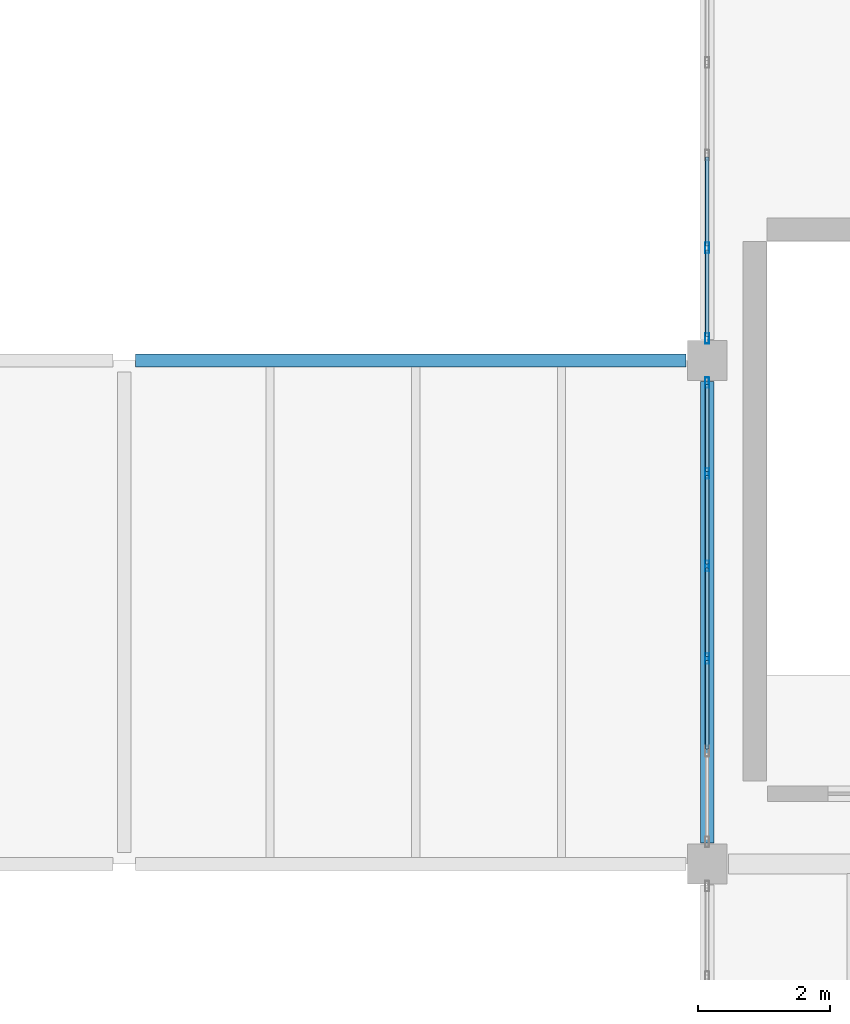
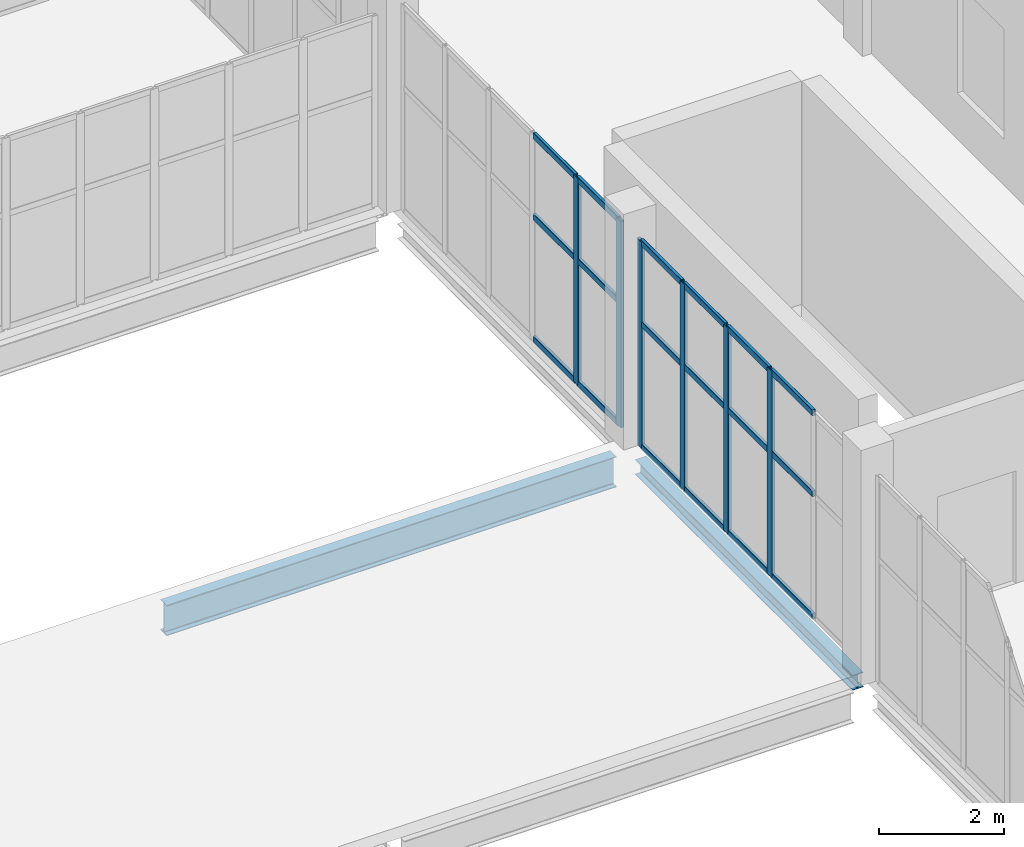
# One storey, part 78 of 136: 24 members, 2 beams, 2 elements without a shape of their own.
"""IFC4 building model written with IfcOpenShell, lengths in metres."""

from ifc_helpers import new_model, si_unit, direction, frame, origin, origin_2d, place, context, subcontext, project, spatial, hollow_rectangle, i_section, extrude, material, material_profile, profile_set, type_object, element, aggregate, save


model = new_model("IFC4")

# Units and contexts
model_context = context("Model", 3, precision=1e-05, world=origin(), true_north=direction((0.0, 1.0)))
body_context = subcontext(model_context, "Body", "Model", "MODEL_VIEW")
ifc_project = project(units=[si_unit("LENGTHUNIT", "METRE"), si_unit("AREAUNIT", "SQUARE_METRE"), si_unit("VOLUMEUNIT", "CUBIC_METRE"), si_unit("PLANEANGLEUNIT", "RADIAN"), si_unit("MASSUNIT", "GRAM", prefix="KILO")], contexts=[model_context])

# Site, building, storey
site_placement = place(None, origin())
site = spatial("IfcSite", under=ifc_project, at=site_placement, CompositionType="ELEMENT")
building_placement = place(site_placement, origin())
building = spatial("IfcBuilding", under=site, at=building_placement, Name="Shengluoqiao Park Theatre", CompositionType="ELEMENT")
storey_placement = place(building_placement, frame((0.0, 0.0, 10.0)))
storey = spatial("IfcBuildingStorey", under=building, at=storey_placement, Name="L02", CompositionType="ELEMENT", Elevation=10.0)

# Curtain wall, members
ifc_material_1 = material(Name="Aluminium 6063-T6", Category="aluminium")
curtain_wall_type = type_object("IfcCurtainWallType", Name="ENV-CW-COURT", PredefinedType="NOTDEFINED", material=ifc_material_1)
curtain_wall_1_placement = place(storey_placement, origin())
curtain_wall_1 = element("IfcCurtainWall", 1, at=curtain_wall_1_placement, inside=storey, type_object=curtain_wall_type, Name="L02 Curtain Wall CWX-L02-0196", PredefinedType="NOTDEFINED")
ifc_material_profile_1 = material_profile(ifc_material_1, hollow_rectangle(XDim=0.06005859375, YDim=0.159912109375, WallThickness=0.00390625, InnerFilletRadius=0.00390625, OuterFilletRadius=0.008056640625, at=origin_2d()), Name="ALU MULLION 160x60x4")
ifc_profile_set_1 = profile_set([ifc_material_profile_1], Name="Aluminium 6063-T6")
member_type_1 = type_object("IfcMemberType", Name="ENV-MUL-160", PredefinedType="MULLION", material=ifc_profile_set_1)
member_1_placement = place(storey_placement, frame((157.199951171875, 56.30078125, 0.0), z_axis=(0.0, 0.0, 1.0), x_axis=(-1.0, 0.0, 0.0)))
member_1 = element("IfcMember", 2, at=member_1_placement, type_object=member_type_1, Name="CW-05 mullion 3", PredefinedType="MULLION", context=body_context, shape_type="SweptSolid", body=[
    extrude(hollow_rectangle(XDim=0.06005859375, YDim=0.159912109375, WallThickness=0.00390625, InnerFilletRadius=0.00390625, OuterFilletRadius=0.008056640625, at=origin_2d()), origin(), (0.0, 0.0, 1.0), 4.033935546875),
])
member_2_placement = place(storey_placement, frame((157.199951171875, 57.69921875, 0.0), z_axis=(0.0, 0.0, 1.0), x_axis=(-1.0, 0.0, 0.0)))
member_2 = element("IfcMember", 3, at=member_2_placement, type_object=member_type_1, Name="CW-05 mullion 4", PredefinedType="MULLION", context=body_context, shape_type="SweptSolid", body=[
    extrude(hollow_rectangle(XDim=0.06005859375, YDim=0.159912109375, WallThickness=0.00390625, InnerFilletRadius=0.00390625, OuterFilletRadius=0.008056640625, at=origin_2d()), origin(), (0.0, 0.0, 1.0), 4.033935546875),
])
member_3_placement = place(storey_placement, frame((157.199951171875, 59.09765625, 0.0), z_axis=(0.0, 0.0, 1.0), x_axis=(-1.0, 0.0, 0.0)))
member_3 = element("IfcMember", 4, at=member_3_placement, type_object=member_type_1, Name="CW-05 mullion 5", PredefinedType="MULLION", context=body_context, shape_type="SweptSolid", body=[
    extrude(hollow_rectangle(XDim=0.06005859375, YDim=0.159912109375, WallThickness=0.00390625, InnerFilletRadius=0.00390625, OuterFilletRadius=0.008056640625, at=origin_2d()), origin(), (0.0, 0.0, 1.0), 4.033935546875),
])
member_4_placement = place(storey_placement, frame((157.199951171875, 60.466064453125, 0.0), z_axis=(0.0, 0.0, 1.0), x_axis=(-1.0, 0.0, 0.0)))
member_4 = element("IfcMember", 5, at=member_4_placement, type_object=member_type_1, Name="CW-05 mullion 6", PredefinedType="MULLION", context=body_context, shape_type="SweptSolid", body=[
    extrude(hollow_rectangle(XDim=0.06005859375, YDim=0.159912109375, WallThickness=0.00390625, InnerFilletRadius=0.00390625, OuterFilletRadius=0.008056640625, at=origin_2d()), origin(), (0.0, 0.0, 1.0), 4.033935546875),
])

curtain_wall_2_placement = place(storey_placement, origin())
curtain_wall_2 = element("IfcCurtainWall", 6, at=curtain_wall_2_placement, inside=storey, type_object=curtain_wall_type, Name="L02 Curtain Wall CWX-L02-0197", PredefinedType="NOTDEFINED")
member_5_placement = place(storey_placement, frame((157.199951171875, 61.134033203125, 0.0), z_axis=(0.0, 0.0, 1.0), x_axis=(-1.0, 0.0, 0.0)))
member_5 = element("IfcMember", 7, at=member_5_placement, type_object=member_type_1, Name="CW-05 mullion 1", PredefinedType="MULLION", context=body_context, shape_type="SweptSolid", body=[
    extrude(hollow_rectangle(XDim=0.06005859375, YDim=0.159912109375, WallThickness=0.00390625, InnerFilletRadius=0.00390625, OuterFilletRadius=0.008056640625, at=origin_2d()), origin(), (0.0, 0.0, 1.0), 4.033935546875),
])
member_6_placement = place(storey_placement, frame((157.199951171875, 62.50244140625, 0.0), z_axis=(0.0, 0.0, 1.0), x_axis=(-1.0, 0.0, 0.0)))
member_6 = element("IfcMember", 8, at=member_6_placement, type_object=member_type_1, Name="CW-05 mullion 2", PredefinedType="MULLION", context=body_context, shape_type="SweptSolid", body=[
    extrude(hollow_rectangle(XDim=0.06005859375, YDim=0.159912109375, WallThickness=0.00390625, InnerFilletRadius=0.00390625, OuterFilletRadius=0.008056640625, at=origin_2d()), origin(), (0.0, 0.0, 1.0), 4.033935546875),
])

# Member
ifc_material_profile_2 = material_profile(ifc_material_1, hollow_rectangle(XDim=0.06005859375, YDim=0.1201171875, WallThickness=0.00390625, InnerFilletRadius=0.00390625, OuterFilletRadius=0.008056640625, at=origin_2d()), Name="ALU TRANSOM 120x60x4")
ifc_profile_set_2 = profile_set([ifc_material_profile_2], Name="Aluminium 6063-T6")
member_type_2 = type_object("IfcMemberType", Name="ENV-TRN-120", PredefinedType="USERDEFINED", material=ifc_profile_set_2)
member_7_placement = place(storey_placement, frame((157.199951171875, 54.932373046875, 0.030029296875), z_axis=(0.0, 1.0, 0.0), x_axis=(-1.0, 0.0, 0.0)))
member_7 = element("IfcMember", 9, at=member_7_placement, type_object=member_type_2, Name="CW-05 transom 2.1", ObjectType="TRANSOM", PredefinedType="USERDEFINED", context=body_context, shape_type="SweptSolid", body=[
    extrude(hollow_rectangle(XDim=0.06005859375, YDim=0.1201171875, WallThickness=0.00390625, InnerFilletRadius=0.00390625, OuterFilletRadius=0.008056640625, at=origin_2d()), origin(), (0.0, 0.0, 1.0), 1.33837890625),
])

member_8_placement = place(storey_placement, frame((157.199951171875, 54.932373046875, 2.419921875), z_axis=(0.0, 1.0, 0.0), x_axis=(-1.0, 0.0, 0.0)))
member_8 = element("IfcMember", 10, at=member_8_placement, type_object=member_type_2, Name="CW-05 transom 2.2", ObjectType="TRANSOM", PredefinedType="USERDEFINED", context=body_context, shape_type="SweptSolid", body=[
    extrude(hollow_rectangle(XDim=0.06005859375, YDim=0.1201171875, WallThickness=0.00390625, InnerFilletRadius=0.00390625, OuterFilletRadius=0.008056640625, at=origin_2d()), origin(), (0.0, 0.0, 1.0), 1.33837890625),
])

member_9_placement = place(storey_placement, frame((157.199951171875, 54.932373046875, 4.00390625), z_axis=(0.0, 1.0, 0.0), x_axis=(-1.0, 0.0, 0.0)))
member_9 = element("IfcMember", 11, at=member_9_placement, type_object=member_type_2, Name="CW-05 transom 2.3", ObjectType="TRANSOM", PredefinedType="USERDEFINED", context=body_context, shape_type="SweptSolid", body=[
    extrude(hollow_rectangle(XDim=0.06005859375, YDim=0.1201171875, WallThickness=0.00390625, InnerFilletRadius=0.00390625, OuterFilletRadius=0.008056640625, at=origin_2d()), origin(), (0.0, 0.0, 1.0), 1.33837890625),
])

member_10_placement = place(storey_placement, frame((157.199951171875, 56.330810546875, 0.030029296875), z_axis=(0.0, 1.0, 0.0), x_axis=(-1.0, 0.0, 0.0)))
member_10 = element("IfcMember", 12, at=member_10_placement, type_object=member_type_2, Name="CW-05 transom 3.1", ObjectType="TRANSOM", PredefinedType="USERDEFINED", context=body_context, shape_type="SweptSolid", body=[
    extrude(hollow_rectangle(XDim=0.06005859375, YDim=0.1201171875, WallThickness=0.00390625, InnerFilletRadius=0.00390625, OuterFilletRadius=0.008056640625, at=origin_2d()), origin(), (0.0, 0.0, 1.0), 1.33837890625),
])

member_11_placement = place(storey_placement, frame((157.199951171875, 56.330810546875, 2.419921875), z_axis=(0.0, 1.0, 0.0), x_axis=(-1.0, 0.0, 0.0)))
member_11 = element("IfcMember", 13, at=member_11_placement, type_object=member_type_2, Name="CW-05 transom 3.2", ObjectType="TRANSOM", PredefinedType="USERDEFINED", context=body_context, shape_type="SweptSolid", body=[
    extrude(hollow_rectangle(XDim=0.06005859375, YDim=0.1201171875, WallThickness=0.00390625, InnerFilletRadius=0.00390625, OuterFilletRadius=0.008056640625, at=origin_2d()), origin(), (0.0, 0.0, 1.0), 1.33837890625),
])

member_12_placement = place(storey_placement, frame((157.199951171875, 56.330810546875, 4.00390625), z_axis=(0.0, 1.0, 0.0), x_axis=(-1.0, 0.0, 0.0)))
member_12 = element("IfcMember", 14, at=member_12_placement, type_object=member_type_2, Name="CW-05 transom 3.3", ObjectType="TRANSOM", PredefinedType="USERDEFINED", context=body_context, shape_type="SweptSolid", body=[
    extrude(hollow_rectangle(XDim=0.06005859375, YDim=0.1201171875, WallThickness=0.00390625, InnerFilletRadius=0.00390625, OuterFilletRadius=0.008056640625, at=origin_2d()), origin(), (0.0, 0.0, 1.0), 1.33837890625),
])

member_13_placement = place(storey_placement, frame((157.199951171875, 57.729248046875, 0.030029296875), z_axis=(0.0, 1.0, 0.0), x_axis=(-1.0, 0.0, 0.0)))
member_13 = element("IfcMember", 15, at=member_13_placement, type_object=member_type_2, Name="CW-05 transom 4.1", ObjectType="TRANSOM", PredefinedType="USERDEFINED", context=body_context, shape_type="SweptSolid", body=[
    extrude(hollow_rectangle(XDim=0.06005859375, YDim=0.1201171875, WallThickness=0.00390625, InnerFilletRadius=0.00390625, OuterFilletRadius=0.008056640625, at=origin_2d()), origin(), (0.0, 0.0, 1.0), 1.33837890625),
])

member_14_placement = place(storey_placement, frame((157.199951171875, 57.729248046875, 2.419921875), z_axis=(0.0, 1.0, 0.0), x_axis=(-1.0, 0.0, 0.0)))
member_14 = element("IfcMember", 16, at=member_14_placement, type_object=member_type_2, Name="CW-05 transom 4.2", ObjectType="TRANSOM", PredefinedType="USERDEFINED", context=body_context, shape_type="SweptSolid", body=[
    extrude(hollow_rectangle(XDim=0.06005859375, YDim=0.1201171875, WallThickness=0.00390625, InnerFilletRadius=0.00390625, OuterFilletRadius=0.008056640625, at=origin_2d()), origin(), (0.0, 0.0, 1.0), 1.33837890625),
])

member_15_placement = place(storey_placement, frame((157.199951171875, 57.729248046875, 4.00390625), z_axis=(0.0, 1.0, 0.0), x_axis=(-1.0, 0.0, 0.0)))
member_15 = element("IfcMember", 17, at=member_15_placement, type_object=member_type_2, Name="CW-05 transom 4.3", ObjectType="TRANSOM", PredefinedType="USERDEFINED", context=body_context, shape_type="SweptSolid", body=[
    extrude(hollow_rectangle(XDim=0.06005859375, YDim=0.1201171875, WallThickness=0.00390625, InnerFilletRadius=0.00390625, OuterFilletRadius=0.008056640625, at=origin_2d()), origin(), (0.0, 0.0, 1.0), 1.33837890625),
])

member_16_placement = place(storey_placement, frame((157.199951171875, 59.127685546875, 0.030029296875), z_axis=(0.0, 1.0, 0.0), x_axis=(-1.0, 0.0, 0.0)))
member_16 = element("IfcMember", 18, at=member_16_placement, type_object=member_type_2, Name="CW-05 transom 5.1", ObjectType="TRANSOM", PredefinedType="USERDEFINED", context=body_context, shape_type="SweptSolid", body=[
    extrude(hollow_rectangle(XDim=0.06005859375, YDim=0.1201171875, WallThickness=0.00390625, InnerFilletRadius=0.00390625, OuterFilletRadius=0.008056640625, at=origin_2d()), origin(), (0.0, 0.0, 1.0), 1.308349609375),
])

member_17_placement = place(storey_placement, frame((157.199951171875, 59.127685546875, 2.419921875), z_axis=(0.0, 1.0, 0.0), x_axis=(-1.0, 0.0, 0.0)))
member_17 = element("IfcMember", 19, at=member_17_placement, type_object=member_type_2, Name="CW-05 transom 5.2", ObjectType="TRANSOM", PredefinedType="USERDEFINED", context=body_context, shape_type="SweptSolid", body=[
    extrude(hollow_rectangle(XDim=0.06005859375, YDim=0.1201171875, WallThickness=0.00390625, InnerFilletRadius=0.00390625, OuterFilletRadius=0.008056640625, at=origin_2d()), origin(), (0.0, 0.0, 1.0), 1.308349609375),
])

member_18_placement = place(storey_placement, frame((157.199951171875, 59.127685546875, 4.00390625), z_axis=(0.0, 1.0, 0.0), x_axis=(-1.0, 0.0, 0.0)))
member_18 = element("IfcMember", 20, at=member_18_placement, type_object=member_type_2, Name="CW-05 transom 5.3", ObjectType="TRANSOM", PredefinedType="USERDEFINED", context=body_context, shape_type="SweptSolid", body=[
    extrude(hollow_rectangle(XDim=0.06005859375, YDim=0.1201171875, WallThickness=0.00390625, InnerFilletRadius=0.00390625, OuterFilletRadius=0.008056640625, at=origin_2d()), origin(), (0.0, 0.0, 1.0), 1.308349609375),
])

aggregate(curtain_wall_1, [member_1, member_2, member_3, member_4, member_7, member_8, member_9, member_10, member_11, member_12, member_13, member_14, member_15, member_16, member_17, member_18])

member_19_placement = place(storey_placement, frame((157.199951171875, 61.1640625, 0.030029296875), z_axis=(0.0, 1.0, 0.0), x_axis=(-1.0, 0.0, 0.0)))
member_19 = element("IfcMember", 21, at=member_19_placement, type_object=member_type_2, Name="CW-05 transom 1.1", ObjectType="TRANSOM", PredefinedType="USERDEFINED", context=body_context, shape_type="SweptSolid", body=[
    extrude(hollow_rectangle(XDim=0.06005859375, YDim=0.1201171875, WallThickness=0.00390625, InnerFilletRadius=0.00390625, OuterFilletRadius=0.008056640625, at=origin_2d()), origin(), (0.0, 0.0, 1.0), 1.308349609375),
])

member_20_placement = place(storey_placement, frame((157.199951171875, 61.1640625, 2.419921875), z_axis=(0.0, 1.0, 0.0), x_axis=(-1.0, 0.0, 0.0)))
member_20 = element("IfcMember", 22, at=member_20_placement, type_object=member_type_2, Name="CW-05 transom 1.2", ObjectType="TRANSOM", PredefinedType="USERDEFINED", context=body_context, shape_type="SweptSolid", body=[
    extrude(hollow_rectangle(XDim=0.06005859375, YDim=0.1201171875, WallThickness=0.00390625, InnerFilletRadius=0.00390625, OuterFilletRadius=0.008056640625, at=origin_2d()), origin(), (0.0, 0.0, 1.0), 1.308349609375),
])

member_21_placement = place(storey_placement, frame((157.199951171875, 61.1640625, 4.00390625), z_axis=(0.0, 1.0, 0.0), x_axis=(-1.0, 0.0, 0.0)))
member_21 = element("IfcMember", 23, at=member_21_placement, type_object=member_type_2, Name="CW-05 transom 1.3", ObjectType="TRANSOM", PredefinedType="USERDEFINED", context=body_context, shape_type="SweptSolid", body=[
    extrude(hollow_rectangle(XDim=0.06005859375, YDim=0.1201171875, WallThickness=0.00390625, InnerFilletRadius=0.00390625, OuterFilletRadius=0.008056640625, at=origin_2d()), origin(), (0.0, 0.0, 1.0), 1.308349609375),
])

member_22_placement = place(storey_placement, frame((157.199951171875, 62.532470703125, 0.030029296875), z_axis=(0.0, 1.0, 0.0), x_axis=(-1.0, 0.0, 0.0)))
member_22 = element("IfcMember", 24, at=member_22_placement, type_object=member_type_2, Name="CW-05 transom 2.1", ObjectType="TRANSOM", PredefinedType="USERDEFINED", context=body_context, shape_type="SweptSolid", body=[
    extrude(hollow_rectangle(XDim=0.06005859375, YDim=0.1201171875, WallThickness=0.00390625, InnerFilletRadius=0.00390625, OuterFilletRadius=0.008056640625, at=origin_2d()), origin(), (0.0, 0.0, 1.0), 1.33837890625),
])

member_23_placement = place(storey_placement, frame((157.199951171875, 62.532470703125, 2.419921875), z_axis=(0.0, 1.0, 0.0), x_axis=(-1.0, 0.0, 0.0)))
member_23 = element("IfcMember", 25, at=member_23_placement, type_object=member_type_2, Name="CW-05 transom 2.2", ObjectType="TRANSOM", PredefinedType="USERDEFINED", context=body_context, shape_type="SweptSolid", body=[
    extrude(hollow_rectangle(XDim=0.06005859375, YDim=0.1201171875, WallThickness=0.00390625, InnerFilletRadius=0.00390625, OuterFilletRadius=0.008056640625, at=origin_2d()), origin(), (0.0, 0.0, 1.0), 1.33837890625),
])

member_24_placement = place(storey_placement, frame((157.199951171875, 62.532470703125, 4.00390625), z_axis=(0.0, 1.0, 0.0), x_axis=(-1.0, 0.0, 0.0)))
member_24 = element("IfcMember", 26, at=member_24_placement, type_object=member_type_2, Name="CW-05 transom 2.3", ObjectType="TRANSOM", PredefinedType="USERDEFINED", context=body_context, shape_type="SweptSolid", body=[
    extrude(hollow_rectangle(XDim=0.06005859375, YDim=0.1201171875, WallThickness=0.00390625, InnerFilletRadius=0.00390625, OuterFilletRadius=0.008056640625, at=origin_2d()), origin(), (0.0, 0.0, 1.0), 1.33837890625),
])

aggregate(curtain_wall_2, [member_5, member_6, member_19, member_20, member_21, member_22, member_23, member_24])

# Beams
ifc_material_2 = material(Name="Steel Q355", Category="steel")
ifc_material_profile_3 = material_profile(ifc_material_2, i_section(OverallWidth=0.199951171875, OverallDepth=0.2939453125, WebThickness=0.008056640625, FlangeThickness=0.011962890625, FilletRadius=0.01611328125, at=origin_2d()), Name="HM 294x200x8x12")
ifc_profile_set_3 = profile_set([ifc_material_profile_3], Name="Steel Q355")
beam_type_1 = type_object("IfcBeamType", Name="STR-BM-G-HM294", PredefinedType="BEAM", material=ifc_profile_set_3)
beam_1_placement = place(storey_placement, frame((157.199951171875, 53.51904296875, -0.386962890625), z_axis=(0.0, 1.0, 0.0), x_axis=(-1.0, 0.0, 0.0)))
element("IfcBeam", 27, at=beam_1_placement, inside=storey, type_object=beam_type_1, Name="L02 Transverse Girder 01156", PredefinedType="BEAM", context=body_context, shape_type="SweptSolid", body=[
    extrude(i_section(OverallWidth=0.199951171875, OverallDepth=0.2939453125, WebThickness=0.008056640625, FlangeThickness=0.011962890625, FilletRadius=0.01611328125, at=origin_2d()), origin(), (0.0, 0.0, 1.0), 6.9619140625),
])
ifc_material_profile_4 = material_profile(ifc_material_2, i_section(OverallWidth=0.198974609375, OverallDepth=0.595947265625, WebThickness=0.010009765625, FlangeThickness=0.014892578125, FilletRadius=0.02001953125, at=origin_2d()), Name="HN 596x199x10x15")
ifc_profile_set_4 = profile_set([ifc_material_profile_4], Name="Steel Q355")
beam_type_2 = type_object("IfcBeamType", Name="STR-BM-SP-HN596", PredefinedType="SPANDREL", material=ifc_profile_set_4)
beam_2_placement = place(storey_placement, frame((148.572021484375, 60.800048828125, -0.5380859375), z_axis=(1.0, 0.0, 0.0), x_axis=(0.0, 1.0, 0.0)))
element("IfcBeam", 28, at=beam_2_placement, inside=storey, type_object=beam_type_2, Name="L02 Primary Girder 01926", PredefinedType="SPANDREL", context=body_context, shape_type="SweptSolid", body=[
    extrude(i_section(OverallWidth=0.198974609375, OverallDepth=0.595947265625, WebThickness=0.010009765625, FlangeThickness=0.014892578125, FilletRadius=0.02001953125, at=origin_2d()), origin(), (0.0, 0.0, 1.0), 8.30908203125),
])

save(model, "model.ifc")
